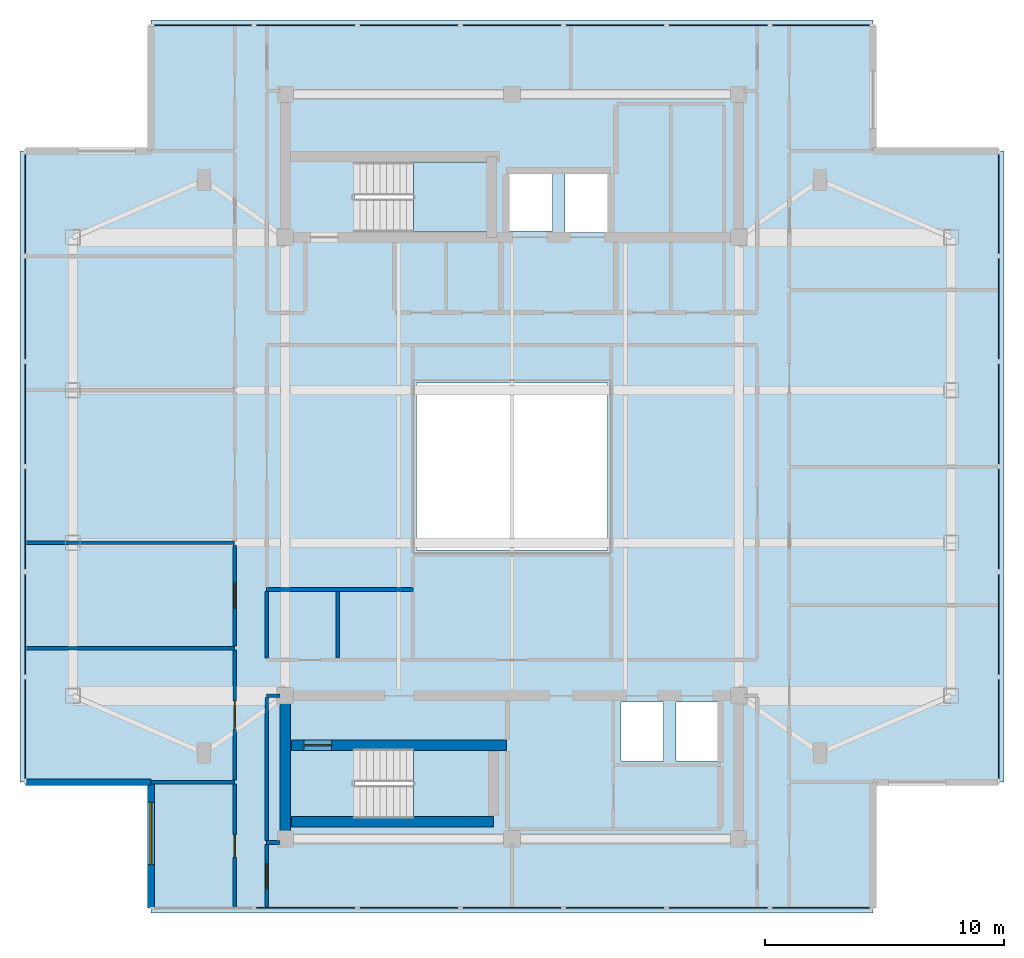
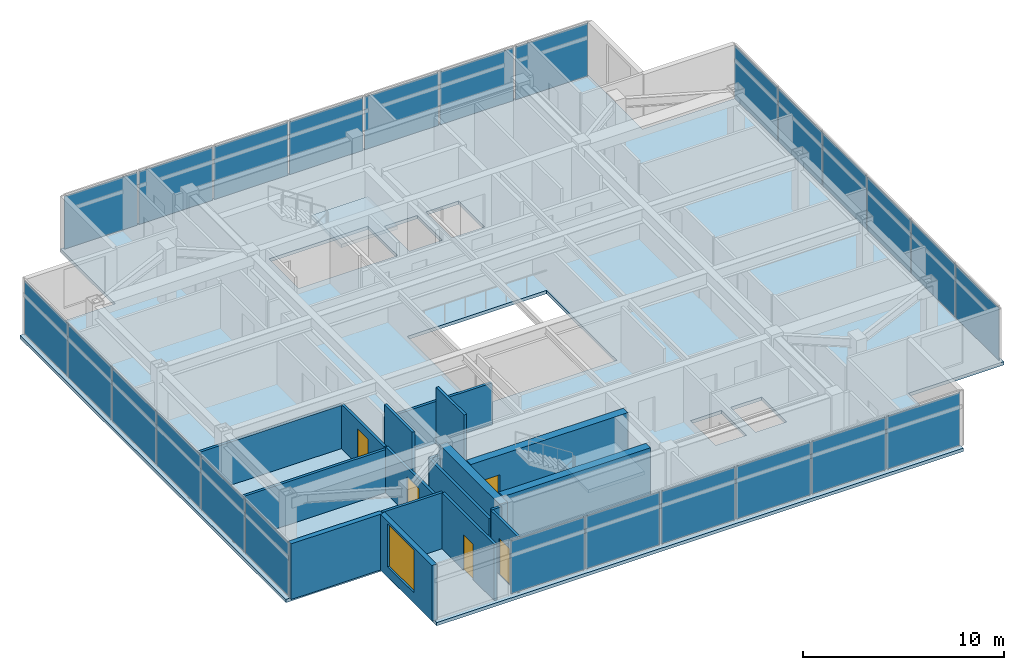
# One storey, part 5 of 12: 25 plates, 18 walls, 5 doors, 3 slabs, 1 window, 6 openings, 6 elements without a shape of their own.
"""IFC4 building model written with IfcOpenShell, lengths in metres."""

from ifc_helpers import new_model, si_unit, direction, frame, frame_2d, origin, origin_2d, place, context, subcontext, project, spatial, polyline, rectangle, outline, extrude, material, layer, layer_set, type_object, element, fill, aggregate, save


model = new_model("IFC4")

# Units and contexts
model_context = context("Model", 3, precision=1e-05, world=origin(), true_north=direction((0.0, 1.0)))
body_context = subcontext(model_context, "Body", "Model", "MODEL_VIEW")
ifc_project = project(units=[si_unit("LENGTHUNIT", "METRE"), si_unit("AREAUNIT", "SQUARE_METRE"), si_unit("VOLUMEUNIT", "CUBIC_METRE"), si_unit("PLANEANGLEUNIT", "RADIAN"), si_unit("MASSUNIT", "GRAM", prefix="KILO")], contexts=[model_context])

# Site, building, storey
site_placement = place(None, origin())
site = spatial("IfcSite", under=ifc_project, at=site_placement, CompositionType="ELEMENT")
building_placement = place(site_placement, origin())
building = spatial("IfcBuilding", under=site, at=building_placement, Name="Mirazonda Arch Towers", CompositionType="ELEMENT")
storey_placement = place(building_placement, frame((0.0, 0.0, 256.300048828125)))
storey = spatial("IfcBuildingStorey", under=building, at=storey_placement, Name="L73", CompositionType="ELEMENT", Elevation=256.300048828125)

# Curtain wall, plates
ifc_material_1 = material(Name="Anodised Aluminium and Low-E Glass", Category="aluminium")
curtain_wall_type = type_object("IfcCurtainWallType", Name="CW-OBS-LANTERN", PredefinedType="NOTDEFINED", material=ifc_material_1)
curtain_wall_1_placement = place(storey_placement, origin())
curtain_wall_1 = element("IfcCurtainWall", 1, at=curtain_wall_1_placement, inside=storey, type_object=curtain_wall_type, Name="L73 T1 S Facade CW-L73-T1-S", PredefinedType="NOTDEFINED")
ifc_material_2 = material(Name="Insulated Low-E Solar Glass", Category="glass")
ifc_layer_1 = layer(ifc_material_2, 0.048095703125, Name="PAN-CW-OBS-LANTERN")
ifc_layer_set_1 = layer_set([ifc_layer_1], Name="Insulated Low-E Solar Glass")
plate_type = type_object("IfcPlateType", Name="PAN-CW-OBS-LANTERN", PredefinedType="CURTAIN_PANEL", material=ifc_layer_set_1)
plate_1_placement = place(storey_placement, frame((33.44189453125, 9.513916015625, 0.08984375), z_axis=(0.0, 0.0, 1.0), x_axis=(-1.0, 0.0, 0.0)))
plate_1 = element("IfcPlate", 2, at=plate_1_placement, type_object=plate_type, Name="CW-110 panel 1.1", PredefinedType="CURTAIN_PANEL", context=body_context, shape_type="SweptSolid", body=[
    extrude(rectangle(XDim=4.1865234375, YDim=0.048095703125, at=origin_2d()), origin(), (0.0, 0.0, 1.0), 3.199951171875),
])
plate_2_placement = place(storey_placement, frame((29.142822265625, 9.513916015625, 0.08984375), z_axis=(0.0, 0.0, 1.0), x_axis=(-1.0, 0.0, 0.0)))
plate_2 = element("IfcPlate", 3, at=plate_2_placement, type_object=plate_type, Name="CW-110 panel 2.1", PredefinedType="CURTAIN_PANEL", context=body_context, shape_type="SweptSolid", body=[
    extrude(rectangle(XDim=4.2314453125, YDim=0.048095703125, at=origin_2d()), origin(), (0.0, 0.0, 1.0), 3.199951171875),
])
plate_3_placement = place(storey_placement, frame((24.821533203125, 9.513916015625, 0.08984375), z_axis=(0.0, 0.0, 1.0), x_axis=(-1.0, 0.0, 0.0)))
plate_3 = element("IfcPlate", 4, at=plate_3_placement, type_object=plate_type, Name="CW-110 panel 3.1", PredefinedType="CURTAIN_PANEL", context=body_context, shape_type="SweptSolid", body=[
    extrude(rectangle(XDim=4.2314453125, YDim=0.048095703125, at=origin_2d()), origin(), (0.0, 0.0, 1.0), 3.199951171875),
])
plate_4_placement = place(storey_placement, frame((20.5, 9.513916015625, 0.08984375), z_axis=(0.0, 0.0, 1.0), x_axis=(-1.0, 0.0, 0.0)))
plate_4 = element("IfcPlate", 5, at=plate_4_placement, type_object=plate_type, Name="CW-110 panel 4.1", PredefinedType="CURTAIN_PANEL", context=body_context, shape_type="SweptSolid", body=[
    extrude(rectangle(XDim=4.2314453125, YDim=0.048095703125, at=origin_2d()), origin(), (0.0, 0.0, 1.0), 3.199951171875),
])
plate_5_placement = place(storey_placement, frame((16.178466796875, 9.513916015625, 0.08984375), z_axis=(0.0, 0.0, 1.0), x_axis=(-1.0, 0.0, 0.0)))
plate_5 = element("IfcPlate", 6, at=plate_5_placement, type_object=plate_type, Name="CW-110 panel 5.1", PredefinedType="CURTAIN_PANEL", context=body_context, shape_type="SweptSolid", body=[
    extrude(rectangle(XDim=4.2314453125, YDim=0.048095703125, at=origin_2d()), origin(), (0.0, 0.0, 1.0), 3.199951171875),
])
plate_6_placement = place(storey_placement, frame((11.857177734375, 9.513916015625, 0.08984375), z_axis=(0.0, 0.0, 1.0), x_axis=(-1.0, 0.0, 0.0)))
plate_6 = element("IfcPlate", 7, at=plate_6_placement, type_object=plate_type, Name="CW-110 panel 6.1", PredefinedType="CURTAIN_PANEL", context=body_context, shape_type="SweptSolid", body=[
    extrude(rectangle(XDim=4.2314453125, YDim=0.048095703125, at=origin_2d()), origin(), (0.0, 0.0, 1.0), 3.199951171875),
])
aggregate(curtain_wall_1, [plate_1, plate_2, plate_3, plate_4, plate_5, plate_6])

curtain_wall_2_placement = place(storey_placement, origin())
curtain_wall_2 = element("IfcCurtainWall", 8, at=curtain_wall_2_placement, inside=storey, type_object=curtain_wall_type, Name="L73 T1 E Facade CW-L73-T1-E", PredefinedType="NOTDEFINED")
plate_7_placement = place(storey_placement, frame((40.889892578125, 17.0048828125, 0.08984375), z_axis=(0.0, 0.0, 1.0), x_axis=(0.0, 1.0, 0.0)))
plate_7 = element("IfcPlate", 9, at=plate_7_placement, type_object=plate_type, Name="CW-110 panel 1.1", PredefinedType="CURTAIN_PANEL", context=body_context, shape_type="SweptSolid", body=[
    extrude(rectangle(XDim=4.27197265625, YDim=0.048095703125, at=origin_2d()), origin(), (0.0, 0.0, 1.0), 3.199951171875),
])
plate_8_placement = place(storey_placement, frame((40.889892578125, 21.389404296875, 0.08984375), z_axis=(0.0, 0.0, 1.0), x_axis=(0.0, 1.0, 0.0)))
plate_8 = element("IfcPlate", 10, at=plate_8_placement, type_object=plate_type, Name="CW-110 panel 2.1", PredefinedType="CURTAIN_PANEL", context=body_context, shape_type="SweptSolid", body=[
    extrude(rectangle(XDim=4.31689453125, YDim=0.048095703125, at=origin_2d()), origin(), (0.0, 0.0, 1.0), 3.199951171875),
])
plate_9_placement = place(storey_placement, frame((40.889892578125, 25.79638671875, 0.08984375), z_axis=(0.0, 0.0, 1.0), x_axis=(0.0, 1.0, 0.0)))
plate_9 = element("IfcPlate", 11, at=plate_9_placement, type_object=plate_type, Name="CW-110 panel 3.1", PredefinedType="CURTAIN_PANEL", context=body_context, shape_type="SweptSolid", body=[
    extrude(rectangle(XDim=4.31689453125, YDim=0.048095703125, at=origin_2d()), origin(), (0.0, 0.0, 1.0), 3.199951171875),
])
plate_10_placement = place(storey_placement, frame((40.889892578125, 30.20361328125, 0.08984375), z_axis=(0.0, 0.0, 1.0), x_axis=(0.0, 1.0, 0.0)))
plate_10 = element("IfcPlate", 12, at=plate_10_placement, type_object=plate_type, Name="CW-110 panel 4.1", PredefinedType="CURTAIN_PANEL", context=body_context, shape_type="SweptSolid", body=[
    extrude(rectangle(XDim=4.31689453125, YDim=0.048095703125, at=origin_2d()), origin(), (0.0, 0.0, 1.0), 3.199951171875),
])
plate_11_placement = place(storey_placement, frame((40.889892578125, 34.610595703125, 0.08984375), z_axis=(0.0, 0.0, 1.0), x_axis=(0.0, 1.0, 0.0)))
plate_11 = element("IfcPlate", 13, at=plate_11_placement, type_object=plate_type, Name="CW-110 panel 5.1", PredefinedType="CURTAIN_PANEL", context=body_context, shape_type="SweptSolid", body=[
    extrude(rectangle(XDim=4.31689453125, YDim=0.048095703125, at=origin_2d()), origin(), (0.0, 0.0, 1.0), 3.199951171875),
])
plate_12_placement = place(storey_placement, frame((40.889892578125, 38.9951171875, 0.08984375), z_axis=(0.0, 0.0, 1.0), x_axis=(0.0, 1.0, 0.0)))
plate_12 = element("IfcPlate", 14, at=plate_12_placement, type_object=plate_type, Name="CW-110 panel 6.1", PredefinedType="CURTAIN_PANEL", context=body_context, shape_type="SweptSolid", body=[
    extrude(rectangle(XDim=4.27197265625, YDim=0.048095703125, at=origin_2d()), origin(), (0.0, 0.0, 1.0), 3.199951171875),
])
aggregate(curtain_wall_2, [plate_7, plate_8, plate_9, plate_10, plate_11, plate_12])

curtain_wall_3_placement = place(storey_placement, origin())
curtain_wall_3 = element("IfcCurtainWall", 15, at=curtain_wall_3_placement, inside=storey, type_object=curtain_wall_type, Name="L73 T1 N Facade CW-L73-T1-N", PredefinedType="NOTDEFINED")
plate_13_placement = place(storey_placement, frame((7.55810546875, 46.486083984375, 0.08984375), z_axis=(0.0, 0.0, 1.0), x_axis=(1.0, 0.0, 0.0)))
plate_13 = element("IfcPlate", 16, at=plate_13_placement, type_object=plate_type, Name="CW-110 panel 1.1", PredefinedType="CURTAIN_PANEL", context=body_context, shape_type="SweptSolid", body=[
    extrude(rectangle(XDim=4.1865234375, YDim=0.048095703125, at=origin_2d()), origin(), (0.0, 0.0, 1.0), 3.199951171875),
])
plate_14_placement = place(storey_placement, frame((11.857177734375, 46.486083984375, 0.08984375), z_axis=(0.0, 0.0, 1.0), x_axis=(1.0, 0.0, 0.0)))
plate_14 = element("IfcPlate", 17, at=plate_14_placement, type_object=plate_type, Name="CW-110 panel 2.1", PredefinedType="CURTAIN_PANEL", context=body_context, shape_type="SweptSolid", body=[
    extrude(rectangle(XDim=4.2314453125, YDim=0.048095703125, at=origin_2d()), origin(), (0.0, 0.0, 1.0), 3.199951171875),
])
plate_15_placement = place(storey_placement, frame((16.178466796875, 46.486083984375, 0.08984375), z_axis=(0.0, 0.0, 1.0), x_axis=(1.0, 0.0, 0.0)))
plate_15 = element("IfcPlate", 18, at=plate_15_placement, type_object=plate_type, Name="CW-110 panel 3.1", PredefinedType="CURTAIN_PANEL", context=body_context, shape_type="SweptSolid", body=[
    extrude(rectangle(XDim=4.2314453125, YDim=0.048095703125, at=origin_2d()), origin(), (0.0, 0.0, 1.0), 3.199951171875),
])
plate_16_placement = place(storey_placement, frame((20.5, 46.486083984375, 0.08984375), z_axis=(0.0, 0.0, 1.0), x_axis=(1.0, 0.0, 0.0)))
plate_16 = element("IfcPlate", 19, at=plate_16_placement, type_object=plate_type, Name="CW-110 panel 4.1", PredefinedType="CURTAIN_PANEL", context=body_context, shape_type="SweptSolid", body=[
    extrude(rectangle(XDim=4.2314453125, YDim=0.048095703125, at=origin_2d()), origin(), (0.0, 0.0, 1.0), 3.199951171875),
])
plate_17_placement = place(storey_placement, frame((24.821533203125, 46.486083984375, 0.08984375), z_axis=(0.0, 0.0, 1.0), x_axis=(1.0, 0.0, 0.0)))
plate_17 = element("IfcPlate", 20, at=plate_17_placement, type_object=plate_type, Name="CW-110 panel 5.1", PredefinedType="CURTAIN_PANEL", context=body_context, shape_type="SweptSolid", body=[
    extrude(rectangle(XDim=4.2314453125, YDim=0.048095703125, at=origin_2d()), origin(), (0.0, 0.0, 1.0), 3.199951171875),
])
plate_18_placement = place(storey_placement, frame((29.142822265625, 46.486083984375, 0.08984375), z_axis=(0.0, 0.0, 1.0), x_axis=(1.0, 0.0, 0.0)))
plate_18 = element("IfcPlate", 21, at=plate_18_placement, type_object=plate_type, Name="CW-110 panel 6.1", PredefinedType="CURTAIN_PANEL", context=body_context, shape_type="SweptSolid", body=[
    extrude(rectangle(XDim=4.2314453125, YDim=0.048095703125, at=origin_2d()), origin(), (0.0, 0.0, 1.0), 3.199951171875),
])
plate_19_placement = place(storey_placement, frame((33.44189453125, 46.486083984375, 0.08984375), z_axis=(0.0, 0.0, 1.0), x_axis=(1.0, 0.0, 0.0)))
plate_19 = element("IfcPlate", 22, at=plate_19_placement, type_object=plate_type, Name="CW-110 panel 7.1", PredefinedType="CURTAIN_PANEL", context=body_context, shape_type="SweptSolid", body=[
    extrude(rectangle(XDim=4.1865234375, YDim=0.048095703125, at=origin_2d()), origin(), (0.0, 0.0, 1.0), 3.199951171875),
])
aggregate(curtain_wall_3, [plate_13, plate_14, plate_15, plate_16, plate_17, plate_18, plate_19])

curtain_wall_4_placement = place(storey_placement, origin())
curtain_wall_4 = element("IfcCurtainWall", 23, at=curtain_wall_4_placement, inside=storey, type_object=curtain_wall_type, Name="L73 T1 W Facade CW-L73-T1-W", PredefinedType="NOTDEFINED")
plate_20_placement = place(storey_placement, frame((0.110107421875, 38.9951171875, 0.08984375), z_axis=(0.0, 0.0, 1.0), x_axis=(0.0, -1.0, 0.0)))
plate_20 = element("IfcPlate", 24, at=plate_20_placement, type_object=plate_type, Name="CW-110 panel 1.1", PredefinedType="CURTAIN_PANEL", context=body_context, shape_type="SweptSolid", body=[
    extrude(rectangle(XDim=4.27197265625, YDim=0.048095703125, at=origin_2d()), origin(), (0.0, 0.0, 1.0), 3.199951171875),
])
plate_21_placement = place(storey_placement, frame((0.110107421875, 34.610595703125, 0.08984375), z_axis=(0.0, 0.0, 1.0), x_axis=(0.0, -1.0, 0.0)))
plate_21 = element("IfcPlate", 25, at=plate_21_placement, type_object=plate_type, Name="CW-110 panel 2.1", PredefinedType="CURTAIN_PANEL", context=body_context, shape_type="SweptSolid", body=[
    extrude(rectangle(XDim=4.31689453125, YDim=0.048095703125, at=origin_2d()), origin(), (0.0, 0.0, 1.0), 3.199951171875),
])
plate_22_placement = place(storey_placement, frame((0.110107421875, 30.20361328125, 0.08984375), z_axis=(0.0, 0.0, 1.0), x_axis=(0.0, -1.0, 0.0)))
plate_22 = element("IfcPlate", 26, at=plate_22_placement, type_object=plate_type, Name="CW-110 panel 3.1", PredefinedType="CURTAIN_PANEL", context=body_context, shape_type="SweptSolid", body=[
    extrude(rectangle(XDim=4.31689453125, YDim=0.048095703125, at=origin_2d()), origin(), (0.0, 0.0, 1.0), 3.199951171875),
])
plate_23_placement = place(storey_placement, frame((0.110107421875, 25.79638671875, 0.08984375), z_axis=(0.0, 0.0, 1.0), x_axis=(0.0, -1.0, 0.0)))
plate_23 = element("IfcPlate", 27, at=plate_23_placement, type_object=plate_type, Name="CW-110 panel 4.1", PredefinedType="CURTAIN_PANEL", context=body_context, shape_type="SweptSolid", body=[
    extrude(rectangle(XDim=4.31689453125, YDim=0.048095703125, at=origin_2d()), origin(), (0.0, 0.0, 1.0), 3.199951171875),
])
plate_24_placement = place(storey_placement, frame((0.110107421875, 21.389404296875, 0.08984375), z_axis=(0.0, 0.0, 1.0), x_axis=(0.0, -1.0, 0.0)))
plate_24 = element("IfcPlate", 28, at=plate_24_placement, type_object=plate_type, Name="CW-110 panel 5.1", PredefinedType="CURTAIN_PANEL", context=body_context, shape_type="SweptSolid", body=[
    extrude(rectangle(XDim=4.31689453125, YDim=0.048095703125, at=origin_2d()), origin(), (0.0, 0.0, 1.0), 3.199951171875),
])
plate_25_placement = place(storey_placement, frame((0.110107421875, 17.0048828125, 0.08984375), z_axis=(0.0, 0.0, 1.0), x_axis=(0.0, -1.0, 0.0)))
plate_25 = element("IfcPlate", 29, at=plate_25_placement, type_object=plate_type, Name="CW-110 panel 6.1", PredefinedType="CURTAIN_PANEL", context=body_context, shape_type="SweptSolid", body=[
    extrude(rectangle(XDim=4.27197265625, YDim=0.048095703125, at=origin_2d()), origin(), (0.0, 0.0, 1.0), 3.199951171875),
])
aggregate(curtain_wall_4, [plate_20, plate_21, plate_22, plate_23, plate_24, plate_25])

# Stair, slab
ifc_material_3 = material(Name="Concrete C40/50", Category="concrete")
stair_type = type_object("IfcStairType", Name="STAIR-CORE-1400", PredefinedType="HALF_TURN_STAIR", material=ifc_material_3)
stair_1_placement = place(storey_placement, origin())
stair_1 = element("IfcStair", 30, at=stair_1_placement, inside=storey, type_object=stair_type, Name="L73 Protected Exit Stair ST-T1N", PredefinedType="HALF_TURN_STAIR")
ifc_layer_2 = layer(ifc_material_3, 0.18994140625, Name="SLAB-LANDING-190")
ifc_layer_set_2 = layer_set([ifc_layer_2], Name="Concrete C40/50")
slab_type_1 = type_object("IfcSlabType", Name="SLAB-LANDING-190", PredefinedType="LANDING", material=ifc_layer_set_2)
slab_1_placement = place(storey_placement, frame((0.0, 0.0, 1.599853515625)))
slab_1 = element("IfcSlab", 31, at=slab_1_placement, type_object=slab_type_1, Name="ST-T1N landing 1", PredefinedType="LANDING", context=body_context, shape_type="SweptSolid", body=[
    extrude(outline(polyline([(16.3701171875, 37.820068359375), (19.60009765625, 37.820068359375), (19.60009765625, 40.760009765625), (16.3701171875, 40.760009765625), (16.3701171875, 37.820068359375)])), origin(), (0.0, 0.0, 1.0), 0.2001953125),
])
aggregate(stair_1, [slab_1])

stair_2_placement = place(storey_placement, origin())
stair_2 = element("IfcStair", 32, at=stair_2_placement, inside=storey, type_object=stair_type, Name="L73 Protected Exit Stair ST-T1S", PredefinedType="HALF_TURN_STAIR")
slab_2_placement = place(storey_placement, frame((0.0, 0.0, 1.599853515625)))
slab_2 = element("IfcSlab", 33, at=slab_2_placement, type_object=slab_type_1, Name="ST-T1S landing 1", PredefinedType="LANDING", context=body_context, shape_type="SweptSolid", body=[
    extrude(outline(polyline([(16.3701171875, 13.25), (19.60009765625, 13.25), (19.60009765625, 16.18994140625), (16.3701171875, 16.18994140625), (16.3701171875, 13.25)])), origin(), (0.0, 0.0, 1.0), 0.2001953125),
])
aggregate(stair_2, [slab_2])

# Slab
ifc_layer_3 = layer(ifc_material_3, 0.199951171875, Name="SLAB-TWR-200")
ifc_layer_set_3 = layer_set([ifc_layer_3], Name="Concrete C40/50")
slab_type_2 = type_object("IfcSlabType", Name="SLAB-TWR-200", PredefinedType="FLOOR", material=ifc_layer_set_3)
slab_3_placement = place(storey_placement, frame((0.0, 0.0, -0.199951171875)))
element("IfcSlab", 34, at=slab_3_placement, inside=storey, type_object=slab_type_2, Name="L73 Tower 1 Floor Slab", PredefinedType="FLOOR", context=body_context, shape_type="SweptSolid", body=[
    extrude(outline(polyline([(5.375, 9.2939453125), (35.625, 9.2939453125), (35.625, 14.779052734375), (41.110107421875, 14.779052734375), (41.110107421875, 41.220947265625), (35.625, 41.220947265625), (35.625, 46.7060546875), (5.375, 46.7060546875), (5.375, 41.220947265625), (-0.110107421875, 41.220947265625), (-0.110107421875, 14.779052734375), (5.375, 14.779052734375), (5.375, 9.2939453125)]), holes=[polyline([(27.360107421875, 18.139892578125), (29.139892578125, 18.139892578125), (29.139892578125, 15.659912109375), (27.360107421875, 15.659912109375), (27.360107421875, 18.139892578125)]), polyline([(25.06005859375, 18.139892578125), (26.840087890625, 18.139892578125), (26.840087890625, 15.659912109375), (25.06005859375, 15.659912109375), (25.06005859375, 18.139892578125)]), polyline([(22.7099609375, 40.389892578125), (24.590087890625, 40.389892578125), (24.590087890625, 37.81005859375), (22.7099609375, 37.81005859375), (22.7099609375, 40.389892578125)]), polyline([(16.5, 31.5), (24.5, 31.5), (24.5, 24.5), (16.5, 24.5), (16.5, 31.5)]), polyline([(20.31005859375, 40.340087890625), (22.18994140625, 40.340087890625), (22.18994140625, 37.860107421875), (20.31005859375, 37.860107421875), (20.31005859375, 40.340087890625)]), polyline([(19.60009765625, 13.25), (13.925048828125, 13.25), (13.925048828125, 16.18994140625), (19.60009765625, 16.18994140625), (19.60009765625, 13.25)]), polyline([(13.925048828125, 37.820068359375), (13.925048828125, 40.760009765625), (19.60009765625, 40.760009765625), (19.60009765625, 37.820068359375), (13.925048828125, 37.820068359375)])]), origin(), (0.0, 0.0, 1.0), 0.199951171875),
])

# Walls
ifc_material_4 = material(Name="Concrete C50/60", Category="concrete")
ifc_layer_4 = layer(ifc_material_4, 0.449951171875, Name="WALL-CORE-450")
ifc_layer_set_4 = layer_set([ifc_layer_4], Name="Concrete C50/60")
wall_type_1 = type_object("IfcWallType", Name="WALL-CORE-450", PredefinedType="SHEAR", material=ifc_layer_set_4)
wall_1_placement = place(storey_placement, frame((11.0, 12.39990234375, 0.0), z_axis=(0.0, 0.0, 1.0), x_axis=(0.0, 1.0, 0.0)))
element("IfcWall", 35, at=wall_1_placement, inside=storey, type_object=wall_type_1, Name="L73 T1S-W Core Shear Wall", PredefinedType="SHEAR", context=body_context, shape_type="SweptSolid", body=[
    extrude(rectangle(XDim=6.0, YDim=0.449951171875, at=frame_2d((3.0, 0.0))), origin(), (0.0, 0.0, 1.0), 3.39990234375),
])
wall_2_placement = place(storey_placement, frame((11.27001953125, 13.1201171875, 0.0), z_axis=(0.0, 0.0, 1.0), x_axis=(1.0, 0.0, 0.0)))
element("IfcWall", 36, at=wall_2_placement, inside=storey, type_object=wall_type_1, Name="L73 Stair Core Shear Wall 004", PredefinedType="SHEAR", context=body_context, shape_type="SweptSolid", body=[
    extrude(rectangle(XDim=8.4599609375, YDim=0.449951171875, at=frame_2d((4.22998046875, 0.0))), origin(), (0.0, 0.0, 1.0), 3.39990234375),
])

# Wall, opening, door
wall_3_placement = place(storey_placement, frame((11.27001953125, 16.320068359375, 0.0), z_axis=(0.0, 0.0, 1.0), x_axis=(1.0, 0.0, 0.0)))
wall_3 = element("IfcWall", 37, at=wall_3_placement, inside=storey, type_object=wall_type_1, Name="L73 Stair Core Shear Wall 008", PredefinedType="SHEAR", context=body_context, shape_type="SweptSolid", body=[
    extrude(rectangle(XDim=9.010009765625, YDim=0.449951171875, at=frame_2d((4.5048828125, 0.0))), origin(), (0.0, 0.0, 1.0), 3.39990234375),
])
opening_1_placement = place(wall_3_placement, frame((0.52001953125, 0.0, 0.0)))
opening_1 = element("IfcOpeningElement", 38, at=opening_1_placement, cuts=wall_3, Name="Opening DR-135", PredefinedType="OPENING", context=body_context, shape_type="SweptSolid", body=[
    extrude(rectangle(XDim=1.14990234375, YDim=2.199951171875, at=frame_2d((0.574951171875, 1.10009765625))), frame((0.0, 0.23486328125, 0.0), z_axis=(0.0, -1.0, 0.0), x_axis=(1.0, 0.0, 0.0)), (0.0, 0.0, 1.0), 0.469970703125),
])
ifc_material_5 = material(Name="Architectural Brushed Steel S355", Category="steel")
door_type_1 = type_object("IfcDoorType", Name="DOOR-STAIR-FD90-1150", OperationType="NOTDEFINED", PredefinedType="DOOR", material=ifc_material_5)
door_1_placement = place(opening_1_placement, origin())
door_1 = element("IfcDoor", 39, at=door_1_placement, inside=storey, type_object=door_type_1, Name="L73 Protected Exit Stair South Door", OperationType="SINGLE_SWING_RIGHT", OverallHeight=2.199951171875, OverallWidth=1.14990234375, PredefinedType="DOOR", context=body_context, shape_type="SweptSolid", body=[
    extrude(rectangle(XDim=1.14990234375, YDim=2.199951171875, at=frame_2d((0.574951171875, 1.10009765625))), frame((0.0, 0.02490234375, 0.0), z_axis=(0.0, -1.0, 0.0), x_axis=(1.0, 0.0, 0.0)), (0.0, 0.0, 1.0), 0.050048828125),
])
fill(opening_1, door_1)

# Wall, opening, window
ifc_material_6 = material(Name="Precast Concrete C40/50", Category="concrete")
ifc_layer_5 = layer(ifc_material_6, 0.280029296875, Name="WALL-EXT-WALL-280")
ifc_layer_set_5 = layer_set([ifc_layer_5], Name="Precast Concrete C40/50")
wall_type_2 = type_object("IfcWallType", Name="WALL-EXT-WALL-280", PredefinedType="SOLIDWALL", material=ifc_layer_set_5)
wall_4_placement = place(storey_placement, frame((5.375, 14.779052734375, 0.0), z_axis=(0.0, 0.0, 1.0), x_axis=(0.0, -1.0, 0.0)))
wall_4 = element("IfcWall", 40, at=wall_4_placement, inside=storey, type_object=wall_type_2, Name="L73 T1 Notched SW Corner Wall WL-L73-T1-CSW", PredefinedType="SOLIDWALL", context=body_context, shape_type="SweptSolid", body=[
    extrude(rectangle(XDim=5.26513671875, YDim=0.280029296875, at=frame_2d((2.632568359375, 0.0))), origin(), (0.0, 0.0, 1.0), 3.3798828125),
])
opening_2_placement = place(wall_4_placement, frame((0.85009765625, 0.0, 0.6298828125)))
opening_2 = element("IfcOpeningElement", 41, at=opening_2_placement, cuts=wall_4, Name="Opening WN-102", PredefinedType="OPENING", context=body_context, shape_type="SweptSolid", body=[
    extrude(rectangle(XDim=2.60009765625, YDim=2.60009765625, at=frame_2d((1.300048828125, 1.300048828125))), frame((0.0, 0.14990234375, 0.0), z_axis=(0.0, -1.0, 0.0), x_axis=(1.0, 0.0, 0.0)), (0.0, 0.0, 1.0), 0.300048828125),
])
window_type = type_object("IfcWindowType", Name="WIN-OBS-2600x2600", PartitioningType="SINGLE_PANEL", PredefinedType="WINDOW", material=ifc_material_2)
window_placement = place(opening_2_placement, origin())
window = element("IfcWindow", 42, at=window_placement, inside=storey, type_object=window_type, Name="L73 Punched Facade Window WN-L73-T1-CSW", OverallHeight=2.60009765625, OverallWidth=2.60009765625, PartitioningType="SINGLE_PANEL", PredefinedType="WINDOW", context=body_context, shape_type="SweptSolid", body=[
    extrude(rectangle(XDim=2.60009765625, YDim=2.60009765625, at=frame_2d((1.300048828125, 1.300048828125))), frame((0.0, 0.030029296875, 0.0), z_axis=(0.0, -1.0, 0.0), x_axis=(1.0, 0.0, 0.0)), (0.0, 0.0, 1.0), 0.06005859375),
])
fill(opening_2, window)

# Walls
wall_5_placement = place(storey_placement, frame((0.110107421875, 14.779052734375, 0.0), z_axis=(0.0, 0.0, 1.0), x_axis=(1.0, 0.0, 0.0)))
element("IfcWall", 43, at=wall_5_placement, inside=storey, type_object=wall_type_2, Name="L73 T1 Corner Notch Return Wall WL-L73-T1-CSW2", PredefinedType="SOLIDWALL", context=body_context, shape_type="SweptSolid", body=[
    extrude(rectangle(XDim=5.264892578125, YDim=0.280029296875, at=frame_2d((2.63232421875, 0.0))), origin(), (0.0, 0.0, 1.0), 3.3798828125),
])
ifc_material_7 = material(Name="Fire-Rated Gypsum Stud Partition")
ifc_layer_6 = layer(ifc_material_7, 0.14990234375, Name="WALL-PART-CORR-150")
ifc_layer_set_6 = layer_set([ifc_layer_6], Name="Fire-Rated Gypsum Stud Partition")
wall_type_3 = type_object("IfcWallType", Name="WALL-PART-CORR-150", PredefinedType="PARTITIONING", material=ifc_layer_set_6)
wall_6_placement = place(storey_placement, frame((10.219970703125, 12.25, 0.0), z_axis=(0.0, 0.0, 1.0), x_axis=(1.0, 0.0, 0.0)))
element("IfcWall", 44, at=wall_6_placement, inside=storey, type_object=wall_type_3, Name="L73 Interior Partition 001", PredefinedType="PARTITIONING", context=body_context, shape_type="SweptSolid", body=[
    extrude(rectangle(XDim=0.56005859375, YDim=0.14990234375, at=frame_2d((0.280029296875, 0.0))), origin(), (0.0, 0.0, 1.0), 3.39990234375),
])
wall_7_placement = place(storey_placement, frame((5.39501953125, 14.779052734375, 0.0), z_axis=(0.0, 0.0, 1.0), x_axis=(1.0, 0.0, 0.0)))
element("IfcWall", 45, at=wall_7_placement, inside=storey, type_object=wall_type_3, Name="L73 Interior Partition 005", PredefinedType="PARTITIONING", context=body_context, shape_type="SweptSolid", body=[
    extrude(rectangle(XDim=3.48486328125, YDim=0.14990234375, at=frame_2d((1.742431640625, 0.0))), origin(), (0.0, 0.0, 1.0), 3.39990234375),
])
wall_8_placement = place(storey_placement, frame((10.219970703125, 18.39990234375, 0.0), z_axis=(0.0, 0.0, 1.0), x_axis=(1.0, 0.0, 0.0)))
element("IfcWall", 46, at=wall_8_placement, inside=storey, type_object=wall_type_3, Name="L73 Interior Partition 009", PredefinedType="PARTITIONING", context=body_context, shape_type="SweptSolid", body=[
    extrude(rectangle(XDim=0.56005859375, YDim=0.14990234375, at=frame_2d((0.280029296875, 0.0))), origin(), (0.0, 0.0, 1.0), 2.7919921875),
])
wall_9_placement = place(storey_placement, frame((0.110107421875, 20.39111328125, 0.0), z_axis=(0.0, 0.0, 1.0), x_axis=(1.0, 0.0, 0.0)))
element("IfcWall", 47, at=wall_9_placement, inside=storey, type_object=wall_type_3, Name="L73 Interior Partition 012", PredefinedType="PARTITIONING", context=body_context, shape_type="SweptSolid", body=[
    extrude(rectangle(XDim=8.769775390625, YDim=0.14990234375, at=frame_2d((4.384765625, 0.0))), origin(), (0.0, 0.0, 1.0), 2.618896484375),
])
wall_10_placement = place(storey_placement, frame((10.219970703125, 22.85009765625, 0.0), z_axis=(0.0, 0.0, 1.0), x_axis=(1.0, 0.0, 0.0)))
element("IfcWall", 48, at=wall_10_placement, inside=storey, type_object=wall_type_3, Name="L73 Interior Partition 014", PredefinedType="PARTITIONING", context=body_context, shape_type="SweptSolid", body=[
    extrude(rectangle(XDim=6.130126953125, YDim=0.14990234375, at=frame_2d((3.06494140625, 0.0))), origin(), (0.0, 0.0, 1.0), 2.535888671875),
])
wall_11_placement = place(storey_placement, frame((0.110107421875, 24.800048828125, 0.0), z_axis=(0.0, 0.0, 1.0), x_axis=(1.0, 0.0, 0.0)))
element("IfcWall", 49, at=wall_11_placement, inside=storey, type_object=wall_type_3, Name="L73 Interior Partition 016", PredefinedType="PARTITIONING", context=body_context, shape_type="SweptSolid", body=[
    extrude(rectangle(XDim=8.769775390625, YDim=0.14990234375, at=frame_2d((4.384765625, 0.0))), origin(), (0.0, 0.0, 1.0), 2.618896484375),
])

# Wall, opening, door
wall_12_placement = place(storey_placement, frame((8.8798828125, 9.513916015625, 0.0), z_axis=(0.0, 0.0, 1.0), x_axis=(0.0, 1.0, 0.0)))
wall_12 = element("IfcWall", 50, at=wall_12_placement, inside=storey, type_object=wall_type_3, Name="L73 Interior Partition 030", PredefinedType="PARTITIONING", context=body_context, shape_type="SweptSolid", body=[
    extrude(rectangle(XDim=5.18017578125, YDim=0.14990234375, at=frame_2d((2.590087890625, 0.0))), origin(), (0.0, 0.0, 1.0), 3.39990234375),
])
opening_3_placement = place(wall_12_placement, frame((2.114990234375, 0.0, 0.0)))
opening_3 = element("IfcOpeningElement", 51, at=opening_3_placement, cuts=wall_12, Name="Opening DR-104", PredefinedType="OPENING", context=body_context, shape_type="SweptSolid", body=[
    extrude(rectangle(XDim=0.949951171875, YDim=2.14990234375, at=frame_2d((0.47509765625, 1.074951171875))), frame((0.0, 0.0849609375, 0.0), z_axis=(0.0, -1.0, 0.0), x_axis=(1.0, 0.0, 0.0)), (0.0, 0.0, 1.0), 0.169921875),
])
door_type_2 = type_object("IfcDoorType", Name="DOOR-ROOM-950", OperationType="NOTDEFINED", PredefinedType="DOOR", material=ifc_material_5)
door_2_placement = place(opening_3_placement, origin())
door_2 = element("IfcDoor", 52, at=door_2_placement, inside=storey, type_object=door_type_2, Name="L73 South Lookout Salon Alcove West Door", OperationType="SINGLE_SWING_RIGHT", OverallHeight=2.14990234375, OverallWidth=0.949951171875, PredefinedType="DOOR", context=body_context, shape_type="SweptSolid", body=[
    extrude(rectangle(XDim=0.949951171875, YDim=2.14990234375, at=frame_2d((0.47509765625, 1.074951171875))), frame((0.0, 0.02490234375, 0.0), z_axis=(0.0, -1.0, 0.0), x_axis=(1.0, 0.0, 0.0)), (0.0, 0.0, 1.0), 0.050048828125),
])
fill(opening_3, door_2)

wall_13_placement = place(storey_placement, frame((8.8798828125, 14.864013671875, 0.0), z_axis=(0.0, 0.0, 1.0), x_axis=(0.0, 1.0, 0.0)))
wall_13 = element("IfcWall", 53, at=wall_13_placement, inside=storey, type_object=wall_type_3, Name="L73 Interior Partition 031", PredefinedType="PARTITIONING", context=body_context, shape_type="SweptSolid", body=[
    extrude(rectangle(XDim=5.44189453125, YDim=0.14990234375, at=frame_2d((2.720947265625, 0.0))), origin(), (0.0, 0.0, 1.0), 2.7919921875),
])
opening_4_placement = place(wall_13_placement, frame((2.12109375, 0.0, 0.0)))
opening_4 = element("IfcOpeningElement", 54, at=opening_4_placement, cuts=wall_13, Name="Opening DR-117", PredefinedType="OPENING", context=body_context, shape_type="SweptSolid", body=[
    extrude(rectangle(XDim=1.199951171875, YDim=2.25, at=frame_2d((0.60009765625, 1.125))), frame((0.0, 0.0849609375, 0.0), z_axis=(0.0, -1.0, 0.0), x_axis=(1.0, 0.0, 0.0)), (0.0, 0.0, 1.0), 0.169921875),
])
door_type_3 = type_object("IfcDoorType", Name="DOOR-FFL-FD90-1200", OperationType="NOTDEFINED", PredefinedType="DOOR", material=ifc_material_5)
door_3_placement = place(opening_4_placement, origin())
door_3 = element("IfcDoor", 55, at=door_3_placement, inside=storey, type_object=door_type_3, Name="L73 Interactive City Heritage Gallery 1 Door", OperationType="SINGLE_SWING_RIGHT", OverallHeight=2.25, OverallWidth=1.199951171875, PredefinedType="DOOR", context=body_context, shape_type="SweptSolid", body=[
    extrude(rectangle(XDim=1.199951171875, YDim=2.25, at=frame_2d((0.60009765625, 1.125))), frame((0.0, 0.02490234375, 0.0), z_axis=(0.0, -1.0, 0.0), x_axis=(1.0, 0.0, 0.0)), (0.0, 0.0, 1.0), 0.050048828125),
])
fill(opening_4, door_3)

wall_14_placement = place(storey_placement, frame((8.8798828125, 20.47607421875, 0.0), z_axis=(0.0, 0.0, 1.0), x_axis=(0.0, 1.0, 0.0)))
wall_14 = element("IfcWall", 56, at=wall_14_placement, inside=storey, type_object=wall_type_3, Name="L73 Interior Partition 032", PredefinedType="PARTITIONING", context=body_context, shape_type="SweptSolid", body=[
    extrude(rectangle(XDim=4.239013671875, YDim=0.14990234375, at=frame_2d((2.11962890625, 0.0))), origin(), (0.0, 0.0, 1.0), 2.696044921875),
])
opening_5_placement = place(wall_14_placement, frame((1.594482421875, 0.0, 0.0)))
opening_5 = element("IfcOpeningElement", 57, at=opening_5_placement, cuts=wall_14, Name="Opening DR-121", PredefinedType="OPENING", context=body_context, shape_type="SweptSolid", body=[
    extrude(rectangle(XDim=1.050048828125, YDim=2.199951171875, at=frame_2d((0.52490234375, 1.10009765625))), frame((0.0, 0.0849609375, 0.0), z_axis=(0.0, -1.0, 0.0), x_axis=(1.0, 0.0, 0.0)), (0.0, 0.0, 1.0), 0.169921875),
])
door_type_4 = type_object("IfcDoorType", Name="DOOR-SUITE-FD60-1050", OperationType="NOTDEFINED", PredefinedType="DOOR", material=ifc_material_5)
door_4_placement = place(opening_5_placement, origin())
door_4 = element("IfcDoor", 58, at=door_4_placement, inside=storey, type_object=door_type_4, Name="L73 Sky-Lookout Espresso & Patisserie Bar 1B Door", OperationType="SINGLE_SWING_LEFT", OverallHeight=2.199951171875, OverallWidth=1.050048828125, PredefinedType="DOOR", context=body_context, shape_type="SweptSolid", body=[
    extrude(rectangle(XDim=1.050048828125, YDim=2.199951171875, at=frame_2d((0.52490234375, 1.10009765625))), frame((0.0, 0.02490234375, 0.0), z_axis=(0.0, -1.0, 0.0), x_axis=(1.0, 0.0, 0.0)), (0.0, 0.0, 1.0), 0.050048828125),
])
fill(opening_5, door_4)

wall_15_placement = place(storey_placement, frame((10.219970703125, 9.513916015625, 0.0), z_axis=(0.0, 0.0, 1.0), x_axis=(0.0, 1.0, 0.0)))
wall_15 = element("IfcWall", 59, at=wall_15_placement, inside=storey, type_object=wall_type_3, Name="L73 Interior Partition 037", PredefinedType="PARTITIONING", context=body_context, shape_type="SweptSolid", body=[
    extrude(rectangle(XDim=2.651123046875, YDim=0.14990234375, at=frame_2d((1.32568359375, 0.0))), origin(), (0.0, 0.0, 1.0), 3.39990234375),
])
opening_6_placement = place(wall_15_placement, frame((0.800537109375, 0.0, 0.0)))
opening_6 = element("IfcOpeningElement", 60, at=opening_6_placement, cuts=wall_15, Name="Opening DR-121", PredefinedType="OPENING", context=body_context, shape_type="SweptSolid", body=[
    extrude(rectangle(XDim=1.050048828125, YDim=2.199951171875, at=frame_2d((0.52490234375, 1.10009765625))), frame((0.0, 0.0849609375, 0.0), z_axis=(0.0, -1.0, 0.0), x_axis=(1.0, 0.0, 0.0)), (0.0, 0.0, 1.0), 0.169921875),
])
door_5_placement = place(opening_6_placement, origin())
door_5 = element("IfcDoor", 61, at=door_5_placement, inside=storey, type_object=door_type_4, Name="L73 South Lookout Salon West Door", OperationType="SINGLE_SWING_RIGHT", OverallHeight=2.199951171875, OverallWidth=1.050048828125, PredefinedType="DOOR", context=body_context, shape_type="SweptSolid", body=[
    extrude(rectangle(XDim=1.050048828125, YDim=2.199951171875, at=frame_2d((0.52490234375, 1.10009765625))), frame((0.0, 0.02490234375, 0.0), z_axis=(0.0, -1.0, 0.0), x_axis=(1.0, 0.0, 0.0)), (0.0, 0.0, 1.0), 0.050048828125),
])
fill(opening_6, door_5)

# Walls
wall_16_placement = place(storey_placement, frame((10.219970703125, 12.3349609375, 0.0), z_axis=(0.0, 0.0, 1.0), x_axis=(0.0, 1.0, 0.0)))
element("IfcWall", 62, at=wall_16_placement, inside=storey, type_object=wall_type_3, Name="L73 Interior Partition 038", PredefinedType="PARTITIONING", context=body_context, shape_type="SweptSolid", body=[
    extrude(rectangle(XDim=5.97998046875, YDim=0.14990234375, at=frame_2d((2.989990234375, 0.0))), origin(), (0.0, 0.0, 1.0), 2.7919921875),
])
for number, where, z_axis, x_axis, name in (
    (63, (10.219970703125, 19.985107421875, 0.0), (0.0, 0.0, 1.0), (0.0, 1.0, 0.0), "L73 Interior Partition 039"),
    (64, (13.199951171875, 19.985107421875, 0.0), (0.0, 0.0, 1.0), (0.0, 1.0, 0.0), "L73 Interior Partition 044"),
):
    element("IfcWall", number, at=place(storey_placement, frame(where, z_axis=z_axis, x_axis=x_axis)), inside=storey, type_object=wall_type_3, Name=name, PredefinedType="PARTITIONING", context=body_context, shape_type="SweptSolid", body=[
        extrude(rectangle(XDim=2.77978515625, YDim=0.14990234375, at=frame_2d((1.389892578125, 0.0))), origin(), (0.0, 0.0, 1.0), 3.39990234375),
    ])

save(model, "model.ifc")
